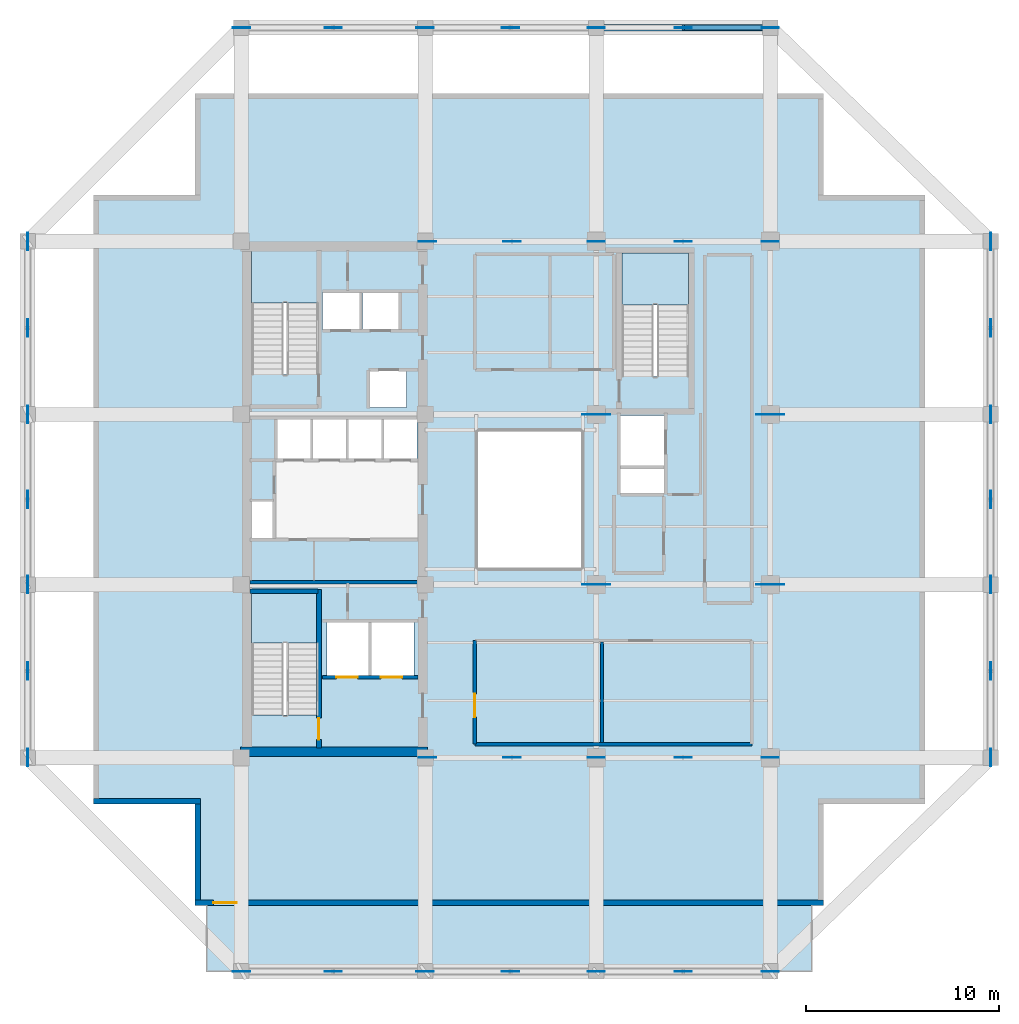
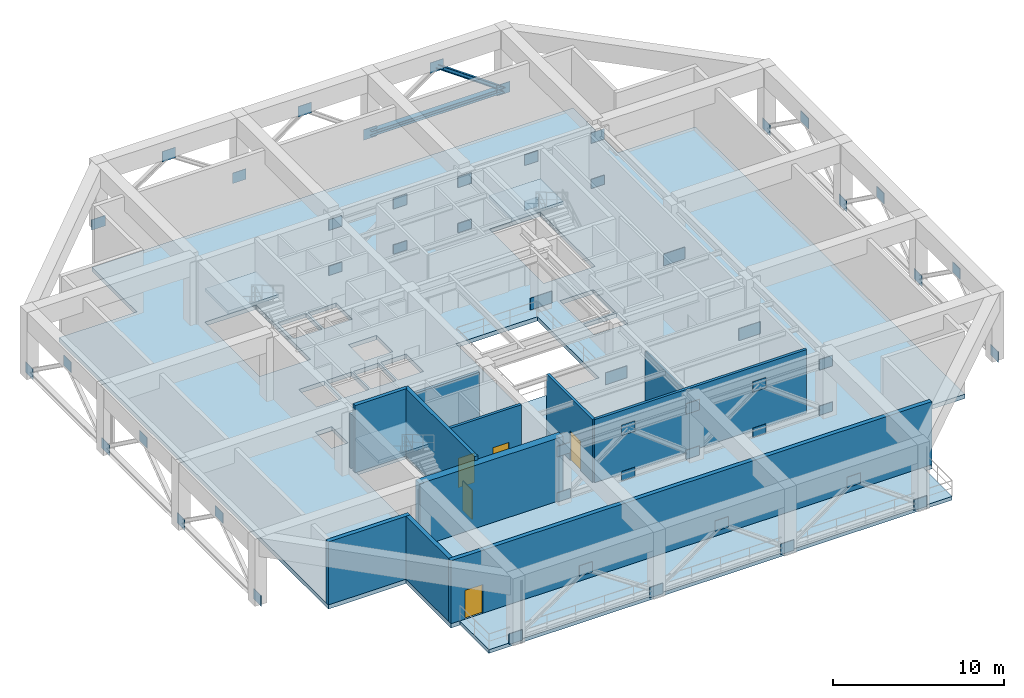
# One storey, part 3 of 10: 52 plates, 11 walls, 5 doors, 5 slabs, 2 members, 5 openings, 3 elements without a shape of their own.
"""IFC4 building model written with IfcOpenShell, lengths in metres."""

from ifc_helpers import new_model, si_unit, direction, frame, frame_2d, origin, origin_2d, place, context, subcontext, project, spatial, polyline, rectangle, i_section, outline, extrude, material, layer, layer_set, material_profile, profile_set, type_object, element, fill, aggregate, save


model = new_model("IFC4")

# Units and contexts
model_context = context("Model", 3, precision=1e-05, world=origin(), true_north=direction((0.0, 1.0)))
body_context = subcontext(model_context, "Body", "Model", "MODEL_VIEW")
ifc_project = project(units=[si_unit("LENGTHUNIT", "METRE"), si_unit("AREAUNIT", "SQUARE_METRE"), si_unit("VOLUMEUNIT", "CUBIC_METRE"), si_unit("PLANEANGLEUNIT", "RADIAN"), si_unit("MASSUNIT", "GRAM", prefix="KILO")], contexts=[model_context])

# Site, building, storey
site_placement = place(None, origin())
site = spatial("IfcSite", under=ifc_project, at=site_placement, CompositionType="ELEMENT")
building_placement = place(site_placement, origin())
building = spatial("IfcBuilding", under=site, at=building_placement, Name="Kundavana Baori Tower", CompositionType="ELEMENT")
storey_placement = place(building_placement, frame((0.0, 0.0, 204.10009765625)))
storey = spatial("IfcBuildingStorey", under=building, at=storey_placement, Name="L50", CompositionType="ELEMENT", Elevation=204.10009765625)

# Members
ifc_material_1 = material(Name="Structural Steel S355JR", Category="steel")
ifc_material_profile_1 = material_profile(ifc_material_1, i_section(OverallWidth=0.360107421875, OverallDepth=0.360107421875, WebThickness=0.012451171875, FlangeThickness=0.0224609375, FilletRadius=0.02392578125, at=origin_2d()), Name="WPB 360x360x142")
ifc_profile_set_1 = profile_set([ifc_material_profile_1], Name="Structural Steel S355JR")
member_type_1 = type_object("IfcMemberType", Name="MEM-BT-CH360", PredefinedType="CHORD", material=ifc_profile_set_1)
member_1_placement = place(storey_placement, frame((33.800048828125, 53.0, 0.27978515625), z_axis=(1.0, 0.0, 0.0), x_axis=(0.0, 1.0, 0.0)))
element("IfcMember", 1, at=member_1_placement, inside=storey, type_object=member_type_1, Name="L50 Perimeter Belt Truss Bottom Chord N3", PredefinedType="CHORD", context=body_context, shape_type="SweptSolid", body=[
    extrude(i_section(OverallWidth=0.360107421875, OverallDepth=0.360107421875, WebThickness=0.012451171875, FlangeThickness=0.0224609375, FilletRadius=0.02392578125, at=origin_2d()), origin(), (0.0, 0.0, 1.0), 9.0),
])
ifc_material_2 = material(Name="Structural Steel S355JR", Category="steel")
ifc_material_profile_2 = material_profile(ifc_material_2, i_section(OverallWidth=0.260009765625, OverallDepth=0.260009765625, WebThickness=0.010009765625, FlangeThickness=0.017578125, FilletRadius=0.02392578125, at=origin_2d()), Name="WPB 260x260x93")
ifc_profile_set_2 = profile_set([ifc_material_profile_2], Name="Structural Steel S355JR")
member_type_2 = type_object("IfcMemberType", Name="MEM-BT-DG260", PredefinedType="BRACE", material=ifc_profile_set_2)
member_2_placement = place(storey_placement, frame((42.800048828125, 53.0, 0.27978515625), z_axis=(-0.814938619191, 0.0, 0.57954727758), x_axis=(0.0, -1.0, 0.0)))
element("IfcMember", 2, at=member_2_placement, inside=storey, type_object=member_type_2, Name="L50 Perimeter Belt Truss Diagonal N3B", PredefinedType="BRACE", context=body_context, shape_type="SweptSolid", body=[
    extrude(i_section(OverallWidth=0.260009765625, OverallDepth=0.260009765625, WebThickness=0.010009765625, FlangeThickness=0.017578125, FilletRadius=0.02392578125, at=origin_2d()), origin(), (0.0, 0.0, 1.0), 5.52197265625),
])

# Plates
ifc_material_3 = material(Name="Structural Steel S355JR", Category="steel")
ifc_layer_1 = layer(ifc_material_3, 0.031982421875, Name="PLT-GUSSET-32")
ifc_layer_set_1 = layer_set([ifc_layer_1], Name="Structural Steel S355JR")
plate_type_1 = type_object("IfcPlateType", Name="PLT-GUSSET-32", PredefinedType="USERDEFINED", material=ifc_layer_set_1)
for number, where, z_axis, x_axis, name in (
    (3, (25.080078125, 15.25, -0.09521484375), (0.0, 0.0, 1.0), (1.0, 0.0, 0.0), "L50 Outrigger Truss OT1 Node Gusset Plate 01"),
    (4, (25.080078125, 15.25, 3.224853515625), (0.0, 0.0, 1.0), (1.0, 0.0, 0.0), "L50 Outrigger Truss OT1 Node Gusset Plate 02"),
    (5, (29.43994140625, 15.25, -0.09521484375), (0.0, 0.0, 1.0), (1.0, 0.0, 0.0), "L50 Outrigger Truss OT1 Node Gusset Plate 03"),
    (6, (29.43994140625, 15.25, 3.224853515625), (0.0, 0.0, 1.0), (1.0, 0.0, 0.0), "L50 Outrigger Truss OT1 Node Gusset Plate 04"),
    (7, (33.800048828125, 15.25, -0.09521484375), (0.0, 0.0, 1.0), (1.0, 0.0, 0.0), "L50 Outrigger Truss OT1 Node Gusset Plate 05"),
    (8, (33.800048828125, 15.25, 3.224853515625), (0.0, 0.0, 1.0), (1.0, 0.0, 0.0), "L50 Outrigger Truss OT1 Node Gusset Plate 06"),
    (9, (38.300048828125, 15.25, -0.09521484375), (0.0, 0.0, 1.0), (1.0, 0.0, 0.0), "L50 Outrigger Truss OT1 Node Gusset Plate 07"),
    (10, (38.300048828125, 15.25, 3.224853515625), (0.0, 0.0, 1.0), (1.0, 0.0, 0.0), "L50 Outrigger Truss OT1 Node Gusset Plate 08"),
    (11, (42.800048828125, 15.25, -0.09521484375), (0.0, 0.0, 1.0), (1.0, 0.0, 0.0), "L50 Outrigger Truss OT1 Node Gusset Plate 09"),
    (12, (42.800048828125, 15.25, 3.224853515625), (0.0, 0.0, 1.0), (1.0, 0.0, 0.0), "L50 Outrigger Truss OT1 Node Gusset Plate 10"),
    (13, (25.080078125, 41.949951171875, -0.09521484375), (0.0, 0.0, 1.0), (1.0, 0.0, 0.0), "L50 Outrigger Truss OT2 Node Gusset Plate 11"),
    (14, (25.080078125, 41.949951171875, 3.224853515625), (0.0, 0.0, 1.0), (1.0, 0.0, 0.0), "L50 Outrigger Truss OT2 Node Gusset Plate 12"),
    (15, (29.43994140625, 41.949951171875, -0.09521484375), (0.0, 0.0, 1.0), (1.0, 0.0, 0.0), "L50 Outrigger Truss OT2 Node Gusset Plate 13"),
    (16, (29.43994140625, 41.949951171875, 3.224853515625), (0.0, 0.0, 1.0), (1.0, 0.0, 0.0), "L50 Outrigger Truss OT2 Node Gusset Plate 14"),
    (17, (33.800048828125, 41.949951171875, -0.09521484375), (0.0, 0.0, 1.0), (1.0, 0.0, 0.0), "L50 Outrigger Truss OT2 Node Gusset Plate 15"),
    (18, (33.800048828125, 41.949951171875, 3.224853515625), (0.0, 0.0, 1.0), (1.0, 0.0, 0.0), "L50 Outrigger Truss OT2 Node Gusset Plate 16"),
    (19, (38.300048828125, 41.949951171875, -0.09521484375), (0.0, 0.0, 1.0), (1.0, 0.0, 0.0), "L50 Outrigger Truss OT2 Node Gusset Plate 17"),
    (20, (38.300048828125, 41.949951171875, 3.224853515625), (0.0, 0.0, 1.0), (1.0, 0.0, 0.0), "L50 Outrigger Truss OT2 Node Gusset Plate 18"),
    (21, (42.800048828125, 41.949951171875, -0.09521484375), (0.0, 0.0, 1.0), (1.0, 0.0, 0.0), "L50 Outrigger Truss OT2 Node Gusset Plate 19"),
    (22, (42.800048828125, 41.949951171875, 3.224853515625), (0.0, 0.0, 1.0), (1.0, 0.0, 0.0), "L50 Outrigger Truss OT2 Node Gusset Plate 20"),
    (23, (15.449951171875, 4.199951171875, -0.09521484375), (0.0, 0.0, 1.0), (1.0, 0.0, 0.0), "L50 Belt Truss S Gusset Plate 21"),
    (24, (24.949951171875, 4.199951171875, -0.09521484375), (0.0, 0.0, 1.0), (1.0, 0.0, 0.0), "L50 Belt Truss S Gusset Plate 22"),
    (25, (20.199951171875, 4.199951171875, 3.10498046875), (0.0, 0.0, 1.0), (1.0, 0.0, 0.0), "L50 Belt Truss Apex S Gusset Plate 23"),
    (26, (33.800048828125, 4.199951171875, -0.09521484375), (0.0, 0.0, 1.0), (1.0, 0.0, 0.0), "L50 Belt Truss S Gusset Plate 24"),
    (27, (29.375, 4.199951171875, 3.10498046875), (0.0, 0.0, 1.0), (1.0, 0.0, 0.0), "L50 Belt Truss Apex S Gusset Plate 25"),
    (28, (42.800048828125, 4.199951171875, -0.09521484375), (0.0, 0.0, 1.0), (1.0, 0.0, 0.0), "L50 Belt Truss S Gusset Plate 26"),
    (29, (38.300048828125, 4.199951171875, 3.10498046875), (0.0, 0.0, 1.0), (1.0, 0.0, 0.0), "L50 Belt Truss Apex S Gusset Plate 27"),
    (30, (15.449951171875, 53.0, -0.09521484375), (0.0, 0.0, 1.0), (1.0, 0.0, 0.0), "L50 Belt Truss N Gusset Plate 28"),
    (31, (24.949951171875, 53.0, -0.09521484375), (0.0, 0.0, 1.0), (1.0, 0.0, 0.0), "L50 Belt Truss N Gusset Plate 29"),
    (32, (20.199951171875, 53.0, 3.10498046875), (0.0, 0.0, 1.0), (1.0, 0.0, 0.0), "L50 Belt Truss Apex N Gusset Plate 30"),
    (33, (33.800048828125, 53.0, -0.09521484375), (0.0, 0.0, 1.0), (1.0, 0.0, 0.0), "L50 Belt Truss N Gusset Plate 31"),
    (34, (29.375, 53.0, 3.10498046875), (0.0, 0.0, 1.0), (1.0, 0.0, 0.0), "L50 Belt Truss Apex N Gusset Plate 32"),
    (35, (42.800048828125, 53.0, -0.09521484375), (0.0, 0.0, 1.0), (1.0, 0.0, 0.0), "L50 Belt Truss N Gusset Plate 33"),
    (36, (38.300048828125, 53.0, 3.10498046875), (0.0, 0.0, 1.0), (1.0, 0.0, 0.0), "L50 Belt Truss Apex N Gusset Plate 34"),
):
    element("IfcPlate", number, at=place(storey_placement, frame(where, z_axis=z_axis, x_axis=x_axis)), inside=storey, type_object=plate_type_1, Name=name, ObjectType="GUSSET PLATE", PredefinedType="USERDEFINED", context=body_context, shape_type="SweptSolid", body=[
        extrude(rectangle(XDim=0.89990234375, YDim=0.031982421875, at=origin_2d()), origin(), (0.0, 0.0, 1.0), 0.75),
    ])
for number, where, z_axis, x_axis, name in (
    (37, (4.39990234375, 15.25, -0.09521484375), (0.0, 0.0, 1.0), (1.0, 0.0, 0.0), "L50 Belt Truss W Gusset Plate 35"),
    (38, (4.39990234375, 24.199951171875, -0.09521484375), (0.0, 0.0, 1.0), (1.0, 0.0, 0.0), "L50 Belt Truss W Gusset Plate 36"),
    (39, (4.39990234375, 19.72509765625, 3.10498046875), (0.0, 0.0, 1.0), (1.0, 0.0, 0.0), "L50 Belt Truss Apex W Gusset Plate 37"),
    (40, (4.39990234375, 33.0, -0.09521484375), (0.0, 0.0, 1.0), (1.0, 0.0, 0.0), "L50 Belt Truss W Gusset Plate 38"),
    (41, (4.39990234375, 28.60009765625, 3.10498046875), (0.0, 0.0, 1.0), (1.0, 0.0, 0.0), "L50 Belt Truss Apex W Gusset Plate 39"),
    (42, (4.39990234375, 41.949951171875, -0.09521484375), (0.0, 0.0, 1.0), (1.0, 0.0, 0.0), "L50 Belt Truss W Gusset Plate 40"),
    (43, (4.39990234375, 37.47509765625, 3.10498046875), (0.0, 0.0, 1.0), (1.0, 0.0, 0.0), "L50 Belt Truss Apex W Gusset Plate 41"),
    (44, (54.199951171875, 15.25, -0.09521484375), (0.0, 0.0, 1.0), (1.0, 0.0, 0.0), "L50 Belt Truss E Gusset Plate 42"),
    (45, (54.199951171875, 24.199951171875, -0.09521484375), (0.0, 0.0, 1.0), (1.0, 0.0, 0.0), "L50 Belt Truss E Gusset Plate 43"),
    (46, (54.199951171875, 19.72509765625, 3.10498046875), (0.0, 0.0, 1.0), (1.0, 0.0, 0.0), "L50 Belt Truss Apex E Gusset Plate 44"),
    (47, (54.199951171875, 33.0, -0.09521484375), (0.0, 0.0, 1.0), (1.0, 0.0, 0.0), "L50 Belt Truss E Gusset Plate 45"),
    (48, (54.199951171875, 28.60009765625, 3.10498046875), (0.0, 0.0, 1.0), (1.0, 0.0, 0.0), "L50 Belt Truss Apex E Gusset Plate 46"),
    (49, (54.199951171875, 41.949951171875, -0.09521484375), (0.0, 0.0, 1.0), (1.0, 0.0, 0.0), "L50 Belt Truss E Gusset Plate 47"),
    (50, (54.199951171875, 37.47509765625, 3.10498046875), (0.0, 0.0, 1.0), (1.0, 0.0, 0.0), "L50 Belt Truss Apex E Gusset Plate 48"),
):
    element("IfcPlate", number, at=place(storey_placement, frame(where, z_axis=z_axis, x_axis=x_axis)), inside=storey, type_object=plate_type_1, Name=name, ObjectType="GUSSET PLATE", PredefinedType="USERDEFINED", context=body_context, shape_type="SweptSolid", body=[
        extrude(rectangle(XDim=0.031982421875, YDim=0.89990234375, at=origin_2d()), origin(), (0.0, 0.0, 1.0), 0.75),
    ])
ifc_material_4 = material(Name="Structural Steel S355JR", Category="steel")
ifc_layer_2 = layer(ifc_material_4, 0.028076171875, Name="PLT-SPLICE-28")
ifc_layer_set_2 = layer_set([ifc_layer_2], Name="Structural Steel S355JR")
plate_type_2 = type_object("IfcPlateType", Name="PLT-SPLICE-28", PredefinedType="SHEET", material=ifc_layer_set_2)
for number, where, z_axis, x_axis, name in (
    (51, (33.800048828125, 24.199951171875, -0.000244140625), (0.0, 0.0, 1.0), (1.0, 0.0, 0.0), "L50 Column Splice Plate IC-5D"),
    (52, (33.800048828125, 33.0, -0.000244140625), (0.0, 0.0, 1.0), (1.0, 0.0, 0.0), "L50 Column Splice Plate IC-5E"),
    (53, (42.800048828125, 24.199951171875, -0.000244140625), (0.0, 0.0, 1.0), (1.0, 0.0, 0.0), "L50 Column Splice Plate IC-6D"),
    (54, (42.800048828125, 33.0, -0.000244140625), (0.0, 0.0, 1.0), (1.0, 0.0, 0.0), "L50 Column Splice Plate IC-6E"),
):
    element("IfcPlate", number, at=place(storey_placement, frame(where, z_axis=z_axis, x_axis=x_axis)), inside=storey, type_object=plate_type_2, Name=name, PredefinedType="SHEET", context=body_context, shape_type="SweptSolid", body=[
        extrude(rectangle(XDim=1.449951171875, YDim=0.028076171875, at=origin_2d()), origin(), (0.0, 0.0, 1.0), 0.85009765625),
    ])

# Slab
ifc_material_5 = material(Name="Concrete C40/50", Category="concrete")
ifc_layer_3 = layer(ifc_material_5, 0.300048828125, Name="SLB-FLR-300")
ifc_layer_set_3 = layer_set([ifc_layer_3], Name="Concrete C40/50")
slab_type_1 = type_object("IfcSlabType", Name="SLB-FLR-300", PredefinedType="FLOOR", material=ifc_layer_set_3)
slab_1_placement = place(storey_placement, frame((0.0, 0.0, -0.300048828125)))
element("IfcSlab", 55, at=slab_1_placement, inside=storey, type_object=slab_type_1, Name="L50 Structural Floor Slab", PredefinedType="FLOOR", context=body_context, shape_type="SweptSolid", body=[
    extrude(outline(polyline([(13.050048828125, 7.60009765625), (45.550048828125, 7.60009765625), (45.550048828125, 12.85009765625), (50.800048828125, 12.85009765625), (50.800048828125, 44.35009765625), (45.550048828125, 44.35009765625), (45.550048828125, 49.60009765625), (13.050048828125, 49.60009765625), (13.050048828125, 44.35009765625), (7.800048828125, 44.35009765625), (7.800048828125, 12.85009765625), (13.050048828125, 12.85009765625), (13.050048828125, 7.60009765625)]), holes=[polyline([(19.43994140625, 17.4619140625), (19.43994140625, 23.85009765625), (15.97998046875, 23.85009765625), (15.97998046875, 17.4619140625), (19.43994140625, 17.4619140625)]), polyline([(19.43994140625, 35.06201171875), (19.43994140625, 41.449951171875), (15.97998046875, 41.449951171875), (15.97998046875, 35.06201171875), (19.43994140625, 35.06201171875)]), polyline([(38.580078125, 34.9619140625), (38.580078125, 41.35009765625), (35.1201171875, 41.35009765625), (35.1201171875, 34.9619140625), (38.580078125, 34.9619140625)]), polyline([(17.300048828125, 30.699951171875), (19.02001953125, 30.699951171875), (19.02001953125, 32.75), (17.300048828125, 32.75), (17.300048828125, 30.699951171875)]), polyline([(19.139892578125, 30.699951171875), (20.860107421875, 30.699951171875), (20.860107421875, 32.75), (19.139892578125, 32.75), (19.139892578125, 30.699951171875)]), polyline([(20.97998046875, 30.699951171875), (22.699951171875, 30.699951171875), (22.699951171875, 32.75), (20.97998046875, 32.75), (20.97998046875, 30.699951171875)]), polyline([(22.820068359375, 30.699951171875), (24.5400390625, 30.699951171875), (24.5400390625, 32.75), (22.820068359375, 32.75), (22.820068359375, 30.699951171875)]), polyline([(19.64990234375, 37.39990234375), (21.550048828125, 37.39990234375), (21.550048828125, 39.300048828125), (19.64990234375, 39.300048828125), (19.64990234375, 37.39990234375)]), polyline([(21.699951171875, 37.39990234375), (23.60009765625, 37.39990234375), (23.60009765625, 39.300048828125), (21.699951171875, 39.300048828125), (21.699951171875, 37.39990234375)]), polyline([(22.10009765625, 33.35009765625), (24.0, 33.35009765625), (24.0, 35.25), (22.10009765625, 35.25), (22.10009765625, 33.35009765625)]), polyline([(19.8798828125, 19.5), (22.02001953125, 19.5), (22.02001953125, 22.25), (19.8798828125, 22.25), (19.8798828125, 19.5)]), polyline([(22.179931640625, 19.5), (24.3798828125, 19.5), (24.3798828125, 22.25), (22.179931640625, 22.25), (22.179931640625, 19.5)]), polyline([(35.050048828125, 30.35009765625), (37.300048828125, 30.35009765625), (37.300048828125, 32.949951171875), (35.050048828125, 32.949951171875), (35.050048828125, 30.35009765625)]), polyline([(15.949951171875, 26.60009765625), (17.080078125, 26.60009765625), (17.080078125, 28.5), (15.949951171875, 28.5), (15.949951171875, 26.60009765625)]), polyline([(35.050048828125, 28.949951171875), (37.300048828125, 28.949951171875), (37.300048828125, 30.199951171875), (35.050048828125, 30.199951171875), (35.050048828125, 28.949951171875)]), polyline([(27.60009765625, 25.0), (33.10009765625, 25.0), (33.10009765625, 32.199951171875), (27.60009765625, 32.199951171875), (27.60009765625, 25.0)])]), origin(), (0.0, 0.0, 1.0), 0.300048828125),
])

# Stair, slab
ifc_material_6 = material(Name="Concrete C40/50", Category="concrete")
stair_type = type_object("IfcStairType", Name="STR-DOG-1650", PredefinedType="HALF_TURN_STAIR", material=ifc_material_6)
stair_1_placement = place(storey_placement, origin())
stair_1 = element("IfcStair", 56, at=stair_1_placement, inside=storey, type_object=stair_type, Name="L50 Protected Exit Stair ST1", PredefinedType="HALF_TURN_STAIR")
ifc_material_7 = material(Name="Concrete C40/50", Category="concrete")
ifc_layer_4 = layer(ifc_material_7, 0.199951171875, Name="SLB-LND-200")
ifc_layer_set_4 = layer_set([ifc_layer_4], Name="Concrete C40/50")
slab_type_2 = type_object("IfcSlabType", Name="SLB-LND-200", PredefinedType="LANDING", material=ifc_layer_set_4)
slab_2_placement = place(storey_placement, frame((0.0, 0.0, 2.199951171875)))
slab_2 = element("IfcSlab", 57, at=slab_2_placement, type_object=slab_type_2, Name="ST1 landing 1", PredefinedType="LANDING", context=body_context, shape_type="SweptSolid", body=[
    extrude(outline(polyline([(19.43994140625, 21.169921875), (19.43994140625, 23.85009765625), (15.97998046875, 23.85009765625), (15.97998046875, 21.169921875), (19.43994140625, 21.169921875)])), origin(), (0.0, 0.0, 1.0), 0.199951171875),
])
aggregate(stair_1, [slab_2])

stair_2_placement = place(storey_placement, origin())
stair_2 = element("IfcStair", 58, at=stair_2_placement, inside=storey, type_object=stair_type, Name="L50 Protected Exit Stair ST2", PredefinedType="HALF_TURN_STAIR")
slab_3_placement = place(storey_placement, frame((0.0, 0.0, 2.199951171875)))
slab_3 = element("IfcSlab", 59, at=slab_3_placement, type_object=slab_type_2, Name="ST2 landing 1", PredefinedType="LANDING", context=body_context, shape_type="SweptSolid", body=[
    extrude(outline(polyline([(19.43994140625, 38.77001953125), (19.43994140625, 41.449951171875), (15.97998046875, 41.449951171875), (15.97998046875, 38.77001953125), (19.43994140625, 38.77001953125)])), origin(), (0.0, 0.0, 1.0), 0.199951171875),
])
aggregate(stair_2, [slab_3])

stair_3_placement = place(storey_placement, origin())
stair_3 = element("IfcStair", 60, at=stair_3_placement, inside=storey, type_object=stair_type, Name="L50 Protected Exit Stair ST3", PredefinedType="HALF_TURN_STAIR")
slab_4_placement = place(storey_placement, frame((0.0, 0.0, 2.199951171875)))
slab_4 = element("IfcSlab", 61, at=slab_4_placement, type_object=slab_type_2, Name="ST3 landing 1", PredefinedType="LANDING", context=body_context, shape_type="SweptSolid", body=[
    extrude(outline(polyline([(38.580078125, 38.669921875), (38.580078125, 41.35009765625), (35.1201171875, 41.35009765625), (35.1201171875, 38.669921875), (38.580078125, 38.669921875)])), origin(), (0.0, 0.0, 1.0), 0.199951171875),
])
aggregate(stair_3, [slab_4])

# Slab
ifc_material_8 = material(Name="Concrete C40/50", Category="concrete")
ifc_layer_5 = layer(ifc_material_8, 0.260009765625, Name="SLB-TER-260")
ifc_layer_set_5 = layer_set([ifc_layer_5], Name="Concrete C40/50")
slab_type_3 = type_object("IfcSlabType", Name="SLB-TER-260", PredefinedType="ROOF", material=ifc_layer_set_5)
slab_5_placement = place(storey_placement, frame((0.0, 0.0, -0.260009765625)))
element("IfcSlab", 62, at=slab_5_placement, inside=storey, type_object=slab_type_3, Name="L50 Planted Sky Terrace Slab S", PredefinedType="ROOF", context=body_context, shape_type="SweptSolid", body=[
    extrude(outline(polyline([(13.64990234375, 7.60009765625), (44.949951171875, 7.60009765625), (44.949951171875, 4.199951171875), (13.64990234375, 4.199951171875), (13.64990234375, 7.60009765625)])), origin(), (0.0, 0.0, 1.0), 0.260009765625),
])

# Wall, opening, door
ifc_material_9 = material(Name="Concrete C50/60", Category="concrete")
ifc_layer_6 = layer(ifc_material_9, 0.39990234375, Name="WL-CORE-400")
ifc_layer_set_6 = layer_set([ifc_layer_6], Name="Concrete C50/60")
wall_type_1 = type_object("IfcWallType", Name="WL-CORE-400", PredefinedType="SHEAR", material=ifc_layer_set_6)
wall_1_placement = place(storey_placement, frame((19.4599609375, 15.739990234375, 0.0), z_axis=(0.0, 0.0, 1.0), x_axis=(0.0, 1.0, 0.0)))
wall_1 = element("IfcWall", 63, at=wall_1_placement, inside=storey, type_object=wall_type_1, Name="WL-L50-ST1-E", PredefinedType="SHEAR", context=body_context, shape_type="SweptSolid", body=[
    extrude(rectangle(XDim=8.199951171875, YDim=0.239990234375, at=frame_2d((4.10009765625, 0.0))), origin(), (0.0, 0.0, 1.0), 4.7998046875),
])
opening_1_placement = place(wall_1_placement, frame((0.449951171875, 0.0, 0.0)))
opening_1 = element("IfcOpeningElement", 64, at=opening_1_placement, cuts=wall_1, Name="Opening FD-110", PredefinedType="OPENING", context=body_context, shape_type="SweptSolid", body=[
    extrude(rectangle(XDim=1.10009765625, YDim=2.10009765625, at=frame_2d((0.550048828125, 1.050048828125))), frame((0.0, 0.1298828125, 0.0), z_axis=(0.0, -1.0, 0.0), x_axis=(1.0, 0.0, 0.0)), (0.0, 0.0, 1.0), 0.260009765625),
])
ifc_material_10 = material(Name="Galvanised Steel Fire-Rated Door Leaf", Category="steel")
door_type_1 = type_object("IfcDoorType", Name="DR-FD120-1100", OperationType="NOTDEFINED", PredefinedType="DOOR", material=ifc_material_10)
door_1_placement = place(opening_1_placement, origin())
door_1 = element("IfcDoor", 65, at=door_1_placement, inside=storey, type_object=door_type_1, Name="DR-L50-ST1", OperationType="SINGLE_SWING_LEFT", OverallHeight=2.10009765625, OverallWidth=1.10009765625, PredefinedType="DOOR", context=body_context, shape_type="SweptSolid", body=[
    extrude(rectangle(XDim=1.10009765625, YDim=2.10009765625, at=frame_2d((0.550048828125, 1.050048828125))), frame((0.0, 0.02490234375, 0.0), z_axis=(0.0, -1.0, 0.0), x_axis=(1.0, 0.0, 0.0)), (0.0, 0.0, 1.0), 0.050048828125),
])
fill(opening_1, door_1)

# Walls
wall_2_placement = place(storey_placement, frame((15.89990234375, 23.860107421875, 0.0), z_axis=(0.0, 0.0, 1.0), x_axis=(1.0, 0.0, 0.0)))
element("IfcWall", 66, at=wall_2_placement, inside=storey, type_object=wall_type_1, Name="WL-L50-ST1-N", PredefinedType="SHEAR", context=body_context, shape_type="SweptSolid", body=[
    extrude(rectangle(XDim=3.52001953125, YDim=0.239990234375, at=frame_2d((1.760009765625, 0.0))), origin(), (0.0, 0.0, 1.0), 4.7998046875),
])
ifc_material_11 = material(Name="Concrete C50/60", Category="concrete")
ifc_layer_7 = layer(ifc_material_11, 0.5, Name="WL-CORE-500")
ifc_layer_set_7 = layer_set([ifc_layer_7], Name="Concrete C50/60")
wall_type_2 = type_object("IfcWallType", Name="WL-CORE-500", PredefinedType="SHEAR", material=ifc_layer_set_7)
wall_3_placement = place(storey_placement, frame((15.39990234375, 15.56005859375, 0.0), z_axis=(0.0, 0.0, 1.0), x_axis=(1.0, 0.0, 0.0)))
element("IfcWall", 67, at=wall_3_placement, inside=storey, type_object=wall_type_2, Name="L50 Offset Core South Shear Wall", PredefinedType="SHEAR", context=body_context, shape_type="SweptSolid", body=[
    extrude(rectangle(XDim=9.68017578125, YDim=0.5, at=frame_2d((4.840087890625, 0.0))), origin(), (0.0, 0.0, 1.0), 4.5),
])

# Wall, opening, door
ifc_material_12 = material(Name="Red-Buff Dholpur Sandstone Cladding on Concrete C40/50", Category="masonry")
ifc_layer_8 = layer(ifc_material_12, 0.280029296875, Name="WL-EXT-SAND-280")
ifc_layer_set_8 = layer_set([ifc_layer_8], Name="Red-Buff Dholpur Sandstone Cladding on Concrete C40/50")
wall_type_3 = type_object("IfcWallType", Name="WL-EXT-SAND-280", PredefinedType="STANDARD", material=ifc_layer_set_8)
wall_4_placement = place(storey_placement, frame((13.050048828125, 7.739990234375, 0.0), z_axis=(0.0, 0.0, 1.0), x_axis=(1.0, 0.0, 0.0)))
wall_4 = element("IfcWall", 68, at=wall_4_placement, inside=storey, type_object=wall_type_3, Name="L50 Exterior Insulated Facade Wall 01", PredefinedType="STANDARD", context=body_context, shape_type="SweptSolid", body=[
    extrude(rectangle(XDim=32.5, YDim=0.280029296875, at=frame_2d((16.25, 0.0))), origin(), (0.0, 0.0, 1.0), 4.5),
])
opening_2_placement = place(wall_4_placement, frame((0.949951171875, 0.0, 0.0)))
opening_2 = element("IfcOpeningElement", 69, at=opening_2_placement, cuts=wall_4, Name="Opening TD-1", PredefinedType="OPENING", context=body_context, shape_type="SweptSolid", body=[
    extrude(rectangle(XDim=1.199951171875, YDim=2.050048828125, at=frame_2d((0.60009765625, 1.02490234375))), frame((0.0, 0.14990234375, 0.0), z_axis=(0.0, -1.0, 0.0), x_axis=(1.0, 0.0, 0.0)), (0.0, 0.0, 1.0), 0.300048828125),
])
ifc_material_13 = material(Name="Architectural Patinated Bronze Metalwork")
door_type_2 = type_object("IfcDoorType", Name="DR-EXT-TER-1200", OperationType="NOTDEFINED", PredefinedType="DOOR", material=ifc_material_13)
door_2_placement = place(opening_2_placement, frame((1.199951171875, 0.0, 0.0), z_axis=(0.0, 0.0, 1.0), x_axis=(-1.0, 0.0, 0.0)))
door_2 = element("IfcDoor", 70, at=door_2_placement, inside=storey, type_object=door_type_2, Name="L50 Terrace Access Door S", OperationType="SINGLE_SWING_LEFT", OverallHeight=2.050048828125, OverallWidth=1.199951171875, PredefinedType="DOOR", context=body_context, shape_type="SweptSolid", body=[
    extrude(rectangle(XDim=1.199951171875, YDim=2.050048828125, at=frame_2d((0.60009765625, 1.02490234375))), frame((0.0, 0.02490234375, 0.0), z_axis=(0.0, -1.0, 0.0), x_axis=(1.0, 0.0, 0.0)), (0.0, 0.0, 1.0), 0.050048828125),
])
fill(opening_2, door_2)

# Walls
wall_5_placement = place(storey_placement, frame((7.800048828125, 12.989990234375, 0.0), z_axis=(0.0, 0.0, 1.0), x_axis=(1.0, 0.0, 0.0)))
element("IfcWall", 71, at=wall_5_placement, inside=storey, type_object=wall_type_3, Name="L50 Exterior Insulated Facade Wall 11", PredefinedType="STANDARD", context=body_context, shape_type="SweptSolid", body=[
    extrude(rectangle(XDim=5.530029296875, YDim=0.280029296875, at=frame_2d((2.76513671875, 0.0))), origin(), (0.0, 0.0, 1.0), 4.5),
])
wall_6_placement = place(storey_placement, frame((13.18994140625, 12.85009765625, 0.0), z_axis=(0.0, 0.0, 1.0), x_axis=(0.0, -1.0, 0.0)))
element("IfcWall", 72, at=wall_6_placement, inside=storey, type_object=wall_type_3, Name="L50 Exterior Insulated Facade Wall 12", PredefinedType="STANDARD", context=body_context, shape_type="SweptSolid", body=[
    extrude(rectangle(XDim=4.97021484375, YDim=0.280029296875, at=frame_2d((2.485107421875, 0.0))), origin(), (0.0, 0.0, 1.0), 4.5),
])
ifc_material_14 = material(Name="Fire-Rated Gypsum Drywall on Galvanised Steel Studs", Category="steel")
ifc_layer_9 = layer(ifc_material_14, 0.14990234375, Name="WL-PART-150")
ifc_layer_set_9 = layer_set([ifc_layer_9], Name="Fire-Rated Gypsum Drywall on Galvanised Steel Studs")
wall_type_4 = type_object("IfcWallType", Name="WL-PART-150", PredefinedType="PARTITIONING", material=ifc_layer_set_9)
wall_7_placement = place(storey_placement, frame((34.10009765625, 16.030029296875, 0.0), z_axis=(0.0, 0.0, 1.0), x_axis=(0.0, 1.0, 0.0)))
element("IfcWall", 73, at=wall_7_placement, inside=storey, type_object=wall_type_4, Name="WL-L50-REF-D", PredefinedType="PARTITIONING", context=body_context, shape_type="SweptSolid", body=[
    extrude(rectangle(XDim=5.18994140625, YDim=0.14990234375, at=frame_2d((2.594970703125, 0.0))), origin(), (0.0, 0.0, 1.0), 3.849853515625),
])

# Wall, opening, door
ifc_material_15 = material(Name="Autoclaved Aerated Concrete Blockwork Masonry", Category="masonry")
ifc_layer_10 = layer(ifc_material_15, 0.18505859375, Name="WL-PART-180")
ifc_layer_set_10 = layer_set([ifc_layer_10], Name="Autoclaved Aerated Concrete Blockwork Masonry")
wall_type_5 = type_object("IfcWallType", Name="WL-PART-180", PredefinedType="SOLIDWALL", material=ifc_layer_set_10)
wall_8_placement = place(storey_placement, frame((27.52001953125, 15.949951171875, 0.0), z_axis=(0.0, 0.0, 1.0), x_axis=(0.0, 1.0, 0.0)))
wall_8 = element("IfcWall", 74, at=wall_8_placement, inside=storey, type_object=wall_type_5, Name="WL-L50-REF-W", PredefinedType="SOLIDWALL", context=body_context, shape_type="SweptSolid", body=[
    extrude(rectangle(XDim=5.35009765625, YDim=0.18505859375, at=frame_2d((2.675048828125, 0.0))), origin(), (0.0, 0.0, 1.0), 4.5),
])
opening_3_placement = place(wall_8_placement, frame((1.39990234375, 0.0, 0.0)))
opening_3 = element("IfcOpeningElement", 75, at=opening_3_placement, cuts=wall_8, Name="Opening FD-120", PredefinedType="OPENING", context=body_context, shape_type="SweptSolid", body=[
    extrude(rectangle(XDim=1.199951171875, YDim=2.10009765625, at=frame_2d((0.60009765625, 1.050048828125))), frame((0.0, 0.1025390625, 0.0), z_axis=(0.0, -1.0, 0.0), x_axis=(1.0, 0.0, 0.0)), (0.0, 0.0, 1.0), 0.205078125),
])
ifc_material_16 = material(Name="Galvanised Steel Fire-Rated Door Leaf", Category="steel")
door_type_3 = type_object("IfcDoorType", Name="DR-FD120-1200", OperationType="NOTDEFINED", PredefinedType="DOOR", material=ifc_material_16)
door_3_placement = place(opening_3_placement, origin())
door_3 = element("IfcDoor", 76, at=door_3_placement, inside=storey, type_object=door_type_3, Name="DR-L50-REF1", OperationType="SINGLE_SWING_LEFT", OverallHeight=2.10009765625, OverallWidth=1.199951171875, PredefinedType="DOOR", context=body_context, shape_type="SweptSolid", body=[
    extrude(rectangle(XDim=1.199951171875, YDim=2.10009765625, at=frame_2d((0.60009765625, 1.050048828125))), frame((0.0, 0.02490234375, 0.0), z_axis=(0.0, -1.0, 0.0), x_axis=(1.0, 0.0, 0.0)), (0.0, 0.0, 1.0), 0.050048828125),
])
fill(opening_3, door_3)

# Wall
wall_9_placement = place(storey_placement, frame((27.52001953125, 15.949951171875, 0.0), z_axis=(0.0, 0.0, 1.0), x_axis=(1.0, 0.0, 0.0)))
element("IfcWall", 77, at=wall_9_placement, inside=storey, type_object=wall_type_5, Name="WL-L50-REF-S", PredefinedType="SOLIDWALL", context=body_context, shape_type="SweptSolid", body=[
    extrude(rectangle(XDim=14.330078125, YDim=0.18505859375, at=frame_2d((7.1650390625, 0.0))), origin(), (0.0, 0.0, 1.0), 4.5),
])

# Wall, openings, doors
ifc_material_17 = material(Name="Autoclaved Aerated Concrete Blockwork Masonry", Category="masonry")
ifc_layer_11 = layer(ifc_material_17, 0.179931640625, Name="WL-SHAFT-180")
ifc_layer_set_11 = layer_set([ifc_layer_11], Name="Autoclaved Aerated Concrete Blockwork Masonry")
wall_type_6 = type_object("IfcWallType", Name="WL-SHAFT-180", PredefinedType="SOLIDWALL", material=ifc_layer_set_11)
wall_10_placement = place(storey_placement, frame((19.639892578125, 19.419921875, 0.0), z_axis=(0.0, 0.0, 1.0), x_axis=(1.0, 0.0, 0.0)))
wall_10 = element("IfcWall", 78, at=wall_10_placement, inside=storey, type_object=wall_type_6, Name="WL-L50-FFL-S", PredefinedType="SOLIDWALL", context=body_context, shape_type="SweptSolid", body=[
    extrude(rectangle(XDim=4.940185546875, YDim=0.179931640625, at=frame_2d((2.47021484375, 0.0))), origin(), (0.0, 0.0, 1.0), 4.5),
])
opening_4_placement = place(wall_10_placement, frame((0.719970703125, 0.0, 0.0)))
opening_4 = element("IfcOpeningElement", 79, at=opening_4_placement, cuts=wall_10, Name="Opening LD-110", PredefinedType="OPENING", context=body_context, shape_type="SweptSolid", body=[
    extrude(rectangle(XDim=1.10009765625, YDim=2.10009765625, at=frame_2d((0.550048828125, 1.050048828125))), frame((0.0, 0.10009765625, 0.0), z_axis=(0.0, -1.0, 0.0), x_axis=(1.0, 0.0, 0.0)), (0.0, 0.0, 1.0), 0.199951171875),
])
opening_5_placement = place(wall_10_placement, frame((3.02001953125, 0.0, 0.0)))
opening_5 = element("IfcOpeningElement", 80, at=opening_5_placement, cuts=wall_10, Name="Opening LD-110", PredefinedType="OPENING", context=body_context, shape_type="SweptSolid", body=[
    extrude(rectangle(XDim=1.10009765625, YDim=2.10009765625, at=frame_2d((0.550048828125, 1.050048828125))), frame((0.0, 0.10009765625, 0.0), z_axis=(0.0, -1.0, 0.0), x_axis=(1.0, 0.0, 0.0)), (0.0, 0.0, 1.0), 0.199951171875),
])
ifc_material_18 = material(Name="Galvanised Steel Fire-Rated Door Leaf", Category="steel")
door_type_4 = type_object("IfcDoorType", Name="DR-SLIDE-LD1100", OperationType="NOTDEFINED", PredefinedType="DOOR", material=ifc_material_18)
door_4_placement = place(opening_4_placement, origin())
door_4 = element("IfcDoor", 81, at=door_4_placement, inside=storey, type_object=door_type_4, Name="DR-L50-LD-FFL-1", OperationType="DOUBLE_DOOR_SLIDING", OverallHeight=2.10009765625, OverallWidth=1.10009765625, PredefinedType="DOOR", context=body_context, shape_type="SweptSolid", body=[
    extrude(rectangle(XDim=1.10009765625, YDim=2.10009765625, at=frame_2d((0.550048828125, 1.050048828125))), frame((0.0, 0.02490234375, 0.0), z_axis=(0.0, -1.0, 0.0), x_axis=(1.0, 0.0, 0.0)), (0.0, 0.0, 1.0), 0.050048828125),
])
fill(opening_4, door_4)
door_5_placement = place(opening_5_placement, origin())
door_5 = element("IfcDoor", 82, at=door_5_placement, inside=storey, type_object=door_type_4, Name="DR-L50-LD-FFL-2", OperationType="DOUBLE_DOOR_SLIDING", OverallHeight=2.10009765625, OverallWidth=1.10009765625, PredefinedType="DOOR", context=body_context, shape_type="SweptSolid", body=[
    extrude(rectangle(XDim=1.10009765625, YDim=2.10009765625, at=frame_2d((0.550048828125, 1.050048828125))), frame((0.0, 0.02490234375, 0.0), z_axis=(0.0, -1.0, 0.0), x_axis=(1.0, 0.0, 0.0)), (0.0, 0.0, 1.0), 0.050048828125),
])
fill(opening_5, door_5)

# Wall
wall_11_placement = place(storey_placement, frame((15.89990234375, 24.330078125, 0.0), z_axis=(0.0, 0.0, 1.0), x_axis=(1.0, 0.0, 0.0)))
element("IfcWall", 83, at=wall_11_placement, inside=storey, type_object=wall_type_6, Name="WL-L50-LPLOW-S", PredefinedType="SOLIDWALL", context=body_context, shape_type="SweptSolid", body=[
    extrude(rectangle(XDim=8.68017578125, YDim=0.179931640625, at=frame_2d((4.340087890625, 0.0))), origin(), (0.0, 0.0, 1.0), 3.849853515625),
])

save(model, "model.ifc")
